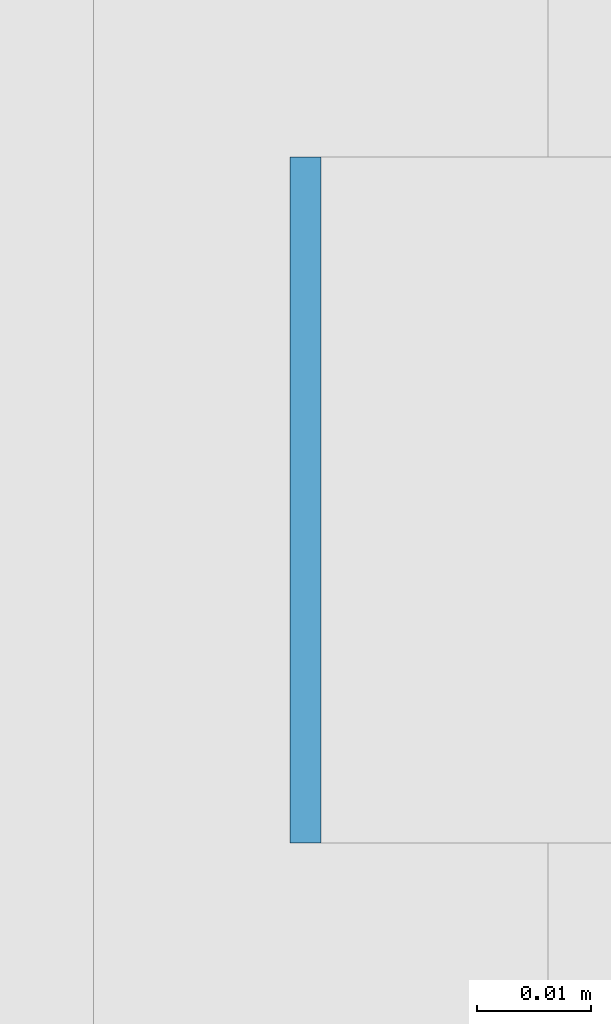
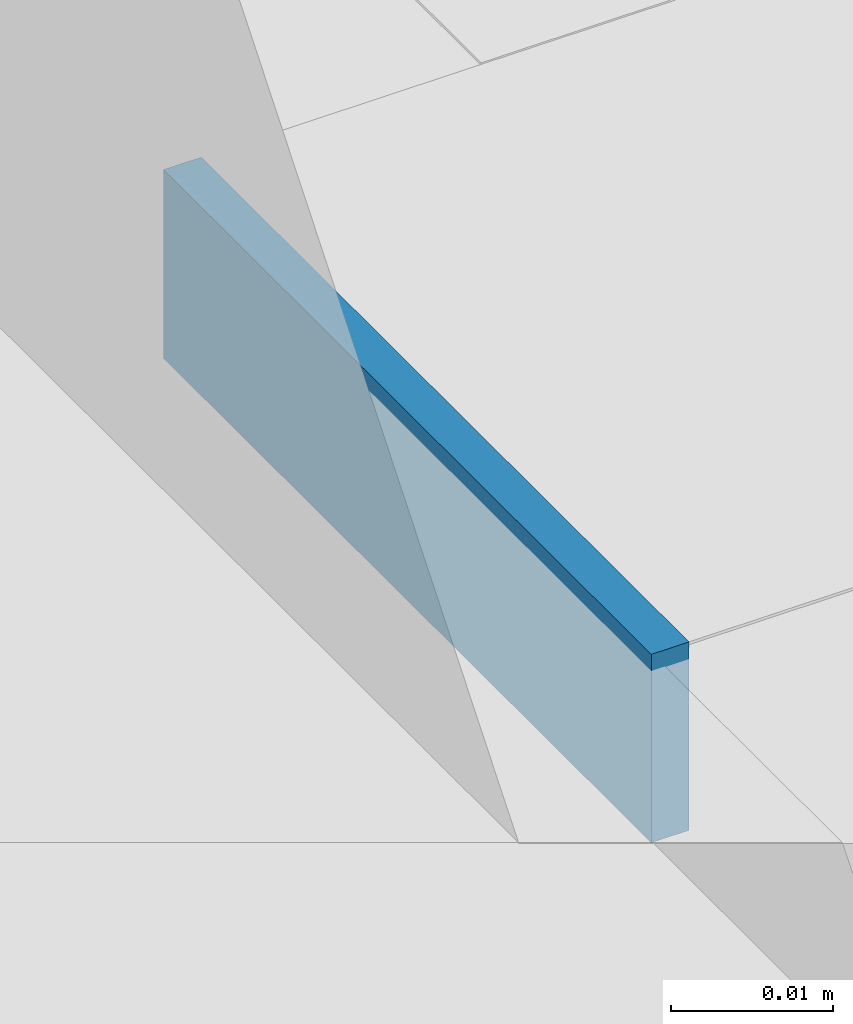
# One storey, part 583 of 646: 1 discrete accessory.
"""IFC4 building model written with IfcOpenShell, lengths in metres."""

from ifc_helpers import new_model, si_unit, direction, frame, origin, origin_2d, place, context, subcontext, project, spatial, rectangle, extrude, material, type_object, element, save


model = new_model("IFC4")

# Units and contexts
model_context = context("Model", 3, precision=1e-05, world=origin(), true_north=direction((0.0, 1.0)))
body_context = subcontext(model_context, "Body", "Model", "MODEL_VIEW")
ifc_project = project(units=[si_unit("LENGTHUNIT", "METRE"), si_unit("AREAUNIT", "SQUARE_METRE"), si_unit("VOLUMEUNIT", "CUBIC_METRE"), si_unit("PLANEANGLEUNIT", "RADIAN"), si_unit("MASSUNIT", "GRAM", prefix="KILO")], contexts=[model_context])

# Site, building, storey
site_placement = place(None, origin())
site = spatial("IfcSite", under=ifc_project, at=site_placement, CompositionType="ELEMENT")
building_placement = place(site_placement, origin())
building = spatial("IfcBuilding", under=site, at=building_placement, Name="Silverbay Arena", CompositionType="ELEMENT")
storey_placement = place(building_placement, frame((0.0, 0.0, 33.5)))
storey = spatial("IfcBuildingStorey", under=building, at=storey_placement, Name="L05", CompositionType="ELEMENT", Elevation=33.5)

# Discrete accessory
ifc_material = material(Name="Steel S355", Category="steel")
discrete_accessory_type = type_object("IfcDiscreteAccessoryType", Name="Steel bracket plate", PredefinedType="BRACKET", material=ifc_material)
discrete_accessory_placement = place(storey_placement, frame((207.128662109375, 114.428466796875, 12.98583984375), z_axis=(0.0, 0.0, 1.0), x_axis=(1.0, 0.0, 0.0)))
element("IfcDiscreteAccessory", 1, at=discrete_accessory_placement, inside=storey, type_object=discrete_accessory_type, Name="Curtain wall packing plate", PredefinedType="BRACKET", context=body_context, shape_type="SweptSolid", body=[
    extrude(rectangle(XDim=0.002685546875, YDim=0.06005859375, at=origin_2d()), origin(), (0.0, 0.0, 1.0), 0.01416015625),
])

save(model, "model.ifc")
